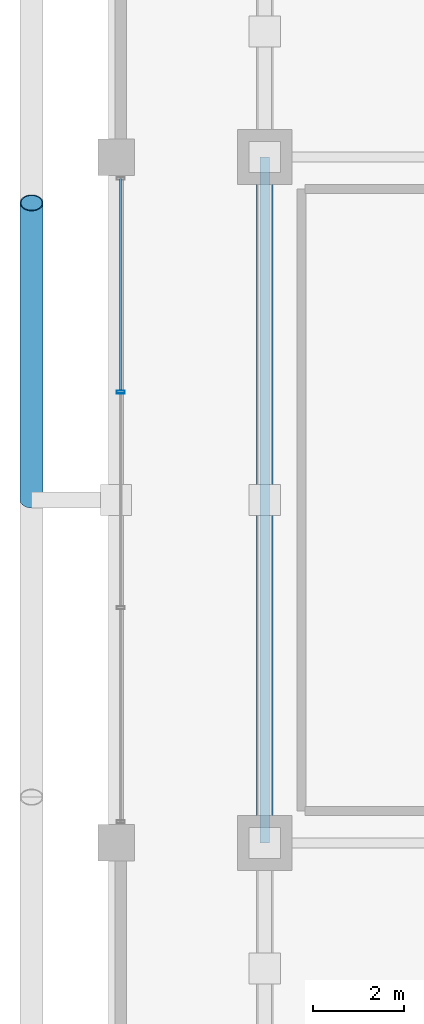
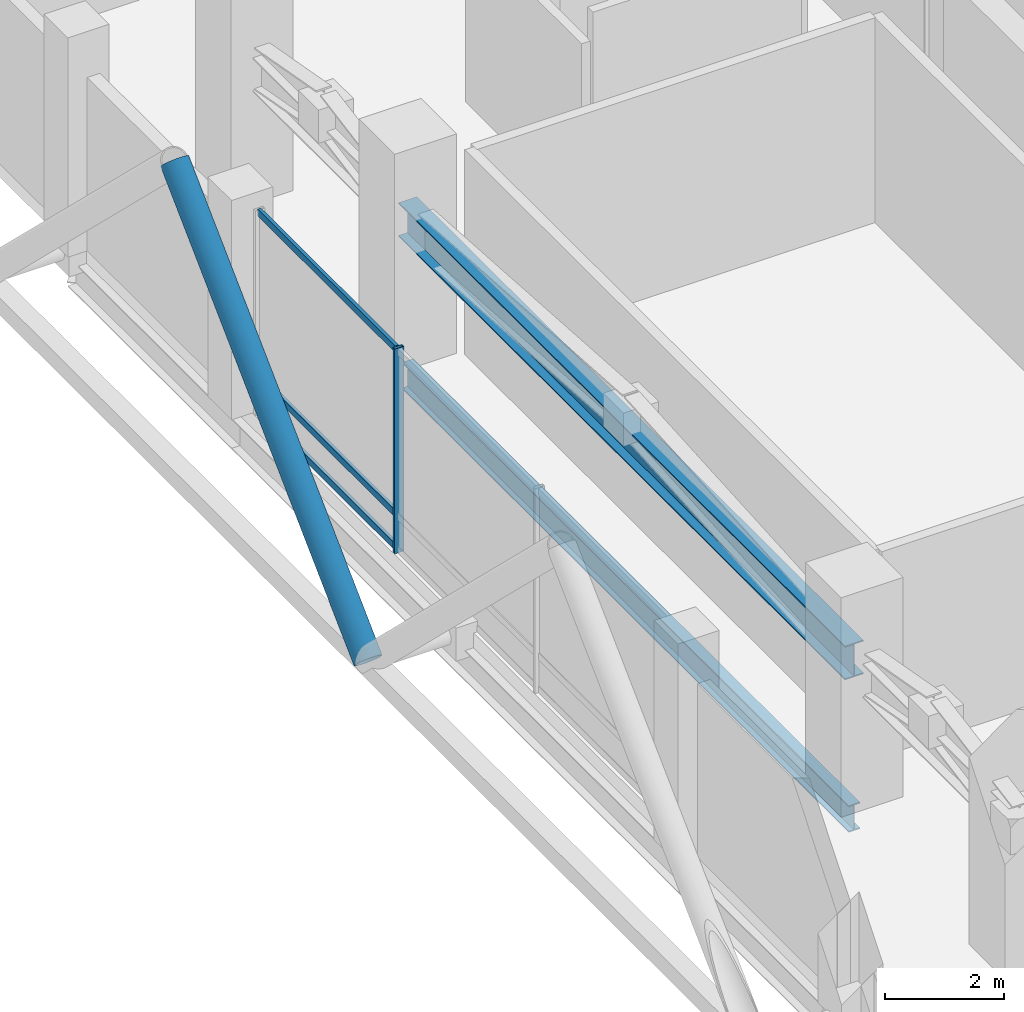
# One storey, part 7 of 22: 6 members, 1 beam, 1 element without a shape of its own.
"""IFC4 building model written with IfcOpenShell, lengths in metres."""

from ifc_helpers import new_model, si_unit, direction, frame, origin, origin_2d, place, context, subcontext, project, spatial, hollow_rectangle, hollow_circle, i_section, extrude, material, layer, layer_set, material_profile, profile_set, type_object, element, aggregate, save


model = new_model("IFC4")

# Units and contexts
model_context = context("Model", 3, precision=1e-05, world=origin(), true_north=direction((0.0, 1.0)))
body_context = subcontext(model_context, "Body", "Model", "MODEL_VIEW")
ifc_project = project(units=[si_unit("LENGTHUNIT", "METRE"), si_unit("AREAUNIT", "SQUARE_METRE"), si_unit("VOLUMEUNIT", "CUBIC_METRE"), si_unit("PLANEANGLEUNIT", "RADIAN"), si_unit("MASSUNIT", "GRAM", prefix="KILO")], contexts=[model_context])

# Site, building, storey
site_placement = place(None, origin())
site = spatial("IfcSite", under=ifc_project, at=site_placement, CompositionType="ELEMENT")
building_placement = place(site_placement, origin())
building = spatial("IfcBuilding", under=site, at=building_placement, Name="Barlavira Tower and Art Museum", CompositionType="ELEMENT")
storey_placement = place(building_placement, frame((0.0, 0.0, 120.60009765625)))
storey = spatial("IfcBuildingStorey", under=building, at=storey_placement, Name="L30", CompositionType="ELEMENT", Elevation=120.60009765625)

# Member
ifc_material_1 = material(Name="Steel S355", Category="steel")
ifc_material_profile_1 = material_profile(ifc_material_1, i_section(OverallWidth=0.35595703125, OverallDepth=0.695068359375, WebThickness=0.014892578125, FlangeThickness=0.023681640625, at=origin_2d()), Name="W690x192.0")
ifc_profile_set_1 = profile_set([ifc_material_profile_1], Name="Steel S355")
member_type_1 = type_object("IfcMemberType", Name="Belt Truss Chord Member W690x192 Steel S355", PredefinedType="CHORD", material=ifc_profile_set_1)
member_1_placement = place(storey_placement, frame((-17.0, -7.5, 2.64990234375), z_axis=(0.0, 1.0, 0.0), x_axis=(-1.0, 0.0, 0.0)))
element("IfcMember", 1, at=member_1_placement, inside=storey, type_object=member_type_1, Name="L30 Belt Truss Bottom Chord BW2", PredefinedType="CHORD", context=body_context, shape_type="SweptSolid", body=[
    extrude(i_section(OverallWidth=0.35595703125, OverallDepth=0.695068359375, WebThickness=0.014892578125, FlangeThickness=0.023681640625, at=origin_2d()), origin(), (0.0, 0.0, 1.0), 15.0),
])

# Curtain wall, members
ifc_material_2 = material(Name="Low-iron coastal laminated glass", Category="glass")
ifc_layer = layer(ifc_material_2, 0.18994140625, Name="Low-iron coastal laminated glass")
ifc_layer_set = layer_set([ifc_layer], Name="Low-iron coastal laminated glass")
curtain_wall_type = type_object("IfcCurtainWallType", Name="Pale-Metal Unitised Curtain Wall Zone 2", PredefinedType="NOTDEFINED", material=ifc_layer_set)
curtain_wall_placement = place(storey_placement, origin())
curtain_wall = element("IfcCurtainWall", 2, at=curtain_wall_placement, inside=storey, type_object=curtain_wall_type, Name="L30 Curtain Wall CW2-L30-W-B3", PredefinedType="NOTDEFINED")
ifc_material_3 = material(Name="Pale anodised aluminium", Category="aluminium")
ifc_material_profile_2 = material_profile(ifc_material_3, hollow_rectangle(XDim=0.06494140625, YDim=0.179931640625, WallThickness=0.00390625, at=origin_2d()), Name="ALU-MULL 65x180x4")
ifc_profile_set_2 = profile_set([ifc_material_profile_2], Name="Pale anodised aluminium")
member_type_2 = type_object("IfcMemberType", Name="Curtain Wall Pale-Metal Mullion 65x180", PredefinedType="MULLION", material=ifc_profile_set_2)
member_2_placement = place(storey_placement, frame((-20.14990234375, 2.360107421875, 0.0), z_axis=(0.0, 0.0, 1.0), x_axis=(0.0, -1.0, 0.0)))
member_2 = element("IfcMember", 3, at=member_2_placement, type_object=member_type_2, Name="CW2-L30-W-B3 Mullion 1", PredefinedType="MULLION", context=body_context, shape_type="SweptSolid", body=[
    extrude(hollow_rectangle(XDim=0.06494140625, YDim=0.179931640625, WallThickness=0.00390625, at=origin_2d()), origin(), (0.0, 0.0, 1.0), 4.199951171875),
])
ifc_material_profile_3 = material_profile(ifc_material_3, hollow_rectangle(XDim=0.06494140625, YDim=0.139892578125, WallThickness=0.00390625, at=origin_2d()), Name="ALU-TRAN 65x140x4")
ifc_profile_set_3 = profile_set([ifc_material_profile_3], Name="Pale anodised aluminium")
member_type_3 = type_object("IfcMemberType", Name="Curtain Wall Pale-Metal Transom 65x140", PredefinedType="USERDEFINED", material=ifc_profile_set_3)
member_3_placement = place(storey_placement, frame((-20.14990234375, 7.034912109375, 0.06982421875), z_axis=(0.0, -1.0, 0.0), x_axis=(1.0, 0.0, 0.0)))
member_3 = element("IfcMember", 4, at=member_3_placement, type_object=member_type_3, Name="CW2-L30-W-B3 Transom 0.1", ObjectType="TRANSOM", PredefinedType="USERDEFINED", context=body_context, shape_type="SweptSolid", body=[
    extrude(hollow_rectangle(XDim=0.06494140625, YDim=0.139892578125, WallThickness=0.00390625, at=origin_2d()), origin(), (0.0, 0.0, 1.0), 4.6298828125),
])
member_4_placement = place(storey_placement, frame((-20.14990234375, 7.034912109375, 0.75), z_axis=(0.0, -1.0, 0.0), x_axis=(1.0, 0.0, 0.0)))
member_4 = element("IfcMember", 5, at=member_4_placement, type_object=member_type_3, Name="CW2-L30-W-B3 Transom 0.2", ObjectType="TRANSOM", PredefinedType="USERDEFINED", context=body_context, shape_type="SweptSolid", body=[
    extrude(hollow_rectangle(XDim=0.06494140625, YDim=0.139892578125, WallThickness=0.00390625, at=origin_2d()), origin(), (0.0, 0.0, 1.0), 4.6298828125),
])
member_5_placement = place(storey_placement, frame((-20.14990234375, 7.034912109375, 4.1298828125), z_axis=(0.0, -1.0, 0.0), x_axis=(1.0, 0.0, 0.0)))
member_5 = element("IfcMember", 6, at=member_5_placement, type_object=member_type_3, Name="CW2-L30-W-B3 Transom 0.3", ObjectType="TRANSOM", PredefinedType="USERDEFINED", context=body_context, shape_type="SweptSolid", body=[
    extrude(hollow_rectangle(XDim=0.06494140625, YDim=0.139892578125, WallThickness=0.00390625, at=origin_2d()), origin(), (0.0, 0.0, 1.0), 4.6298828125),
])
aggregate(curtain_wall, [member_2, member_3, member_4, member_5])

# Member
ifc_material_profile_4 = material_profile(ifc_material_1, hollow_circle(Radius=0.25390625, WallThickness=0.022216796875, at=origin_2d()), Name="CHS 508.0x22.2")
ifc_profile_set_4 = profile_set([ifc_material_profile_4], Name="Steel S355")
member_type_4 = type_object("IfcMemberType", Name="Pale-Metal Exoskeleton Diagrid Tube CHS 508x22 Steel S355", PredefinedType="BRACE", material=ifc_profile_set_4)
member_6_placement = place(storey_placement, frame((-22.10009765625, 0.0, -0.1201171875), z_axis=(0.0, 0.718064979499, 0.695976066555), x_axis=(-1.0, 0.0, 0.0)))
element("IfcMember", 7, at=member_6_placement, inside=storey, type_object=member_type_4, Name="L30 Exoskeleton Diagrid Tube W", PredefinedType="BRACE", context=body_context, shape_type="SweptSolid", body=[
    extrude(hollow_circle(Radius=0.25390625, WallThickness=0.022216796875, at=origin_2d()), origin(), (0.0, 0.0, 1.0), 9.052001953125),
])

# Beam
ifc_material_profile_5 = material_profile(ifc_material_1, i_section(OverallWidth=0.214111328125, OverallDepth=0.549072265625, WebThickness=0.0146484375, FlangeThickness=0.023681640625, at=origin_2d()), Name="W530x138.0")
ifc_profile_set_5 = profile_set([ifc_material_profile_5], Name="Steel S355")
beam_type = type_object("IfcBeamType", Name="Zone 1 Primary Floor Girder W530x138 Steel S355", PredefinedType="BEAM", material=ifc_profile_set_5)
beam_placement = place(storey_placement, frame((-17.0, -7.5, -0.57470703125), z_axis=(0.0, 1.0, 0.0), x_axis=(-1.0, 0.0, 0.0)))
element("IfcBeam", 8, at=beam_placement, inside=storey, type_object=beam_type, Name="L30 Girder M-W2", PredefinedType="BEAM", context=body_context, shape_type="SweptSolid", body=[
    extrude(i_section(OverallWidth=0.214111328125, OverallDepth=0.549072265625, WebThickness=0.0146484375, FlangeThickness=0.023681640625, at=origin_2d()), origin(), (0.0, 0.0, 1.0), 15.0),
])

save(model, "model.ifc")
